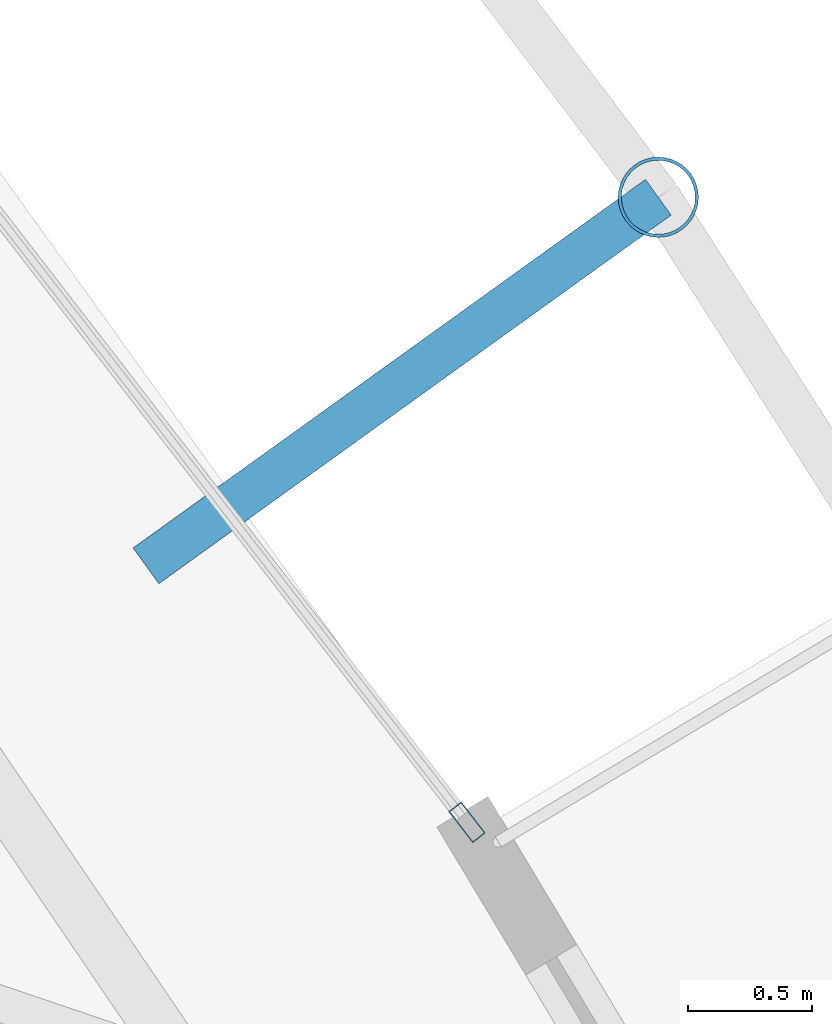
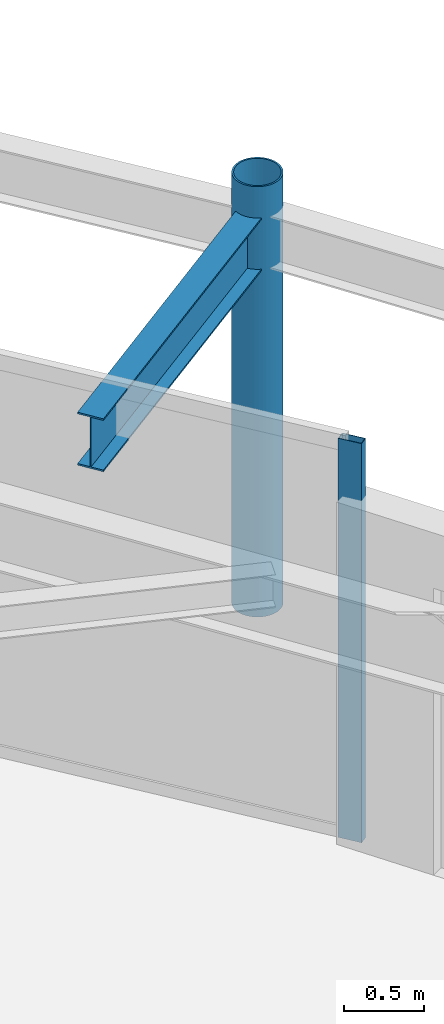
# One storey, part 19 of 28: 2 members, 1 beam, 1 element without a shape of its own.
"""IFC4 building model written with IfcOpenShell, lengths in metres."""

from ifc_helpers import new_model, si_unit, direction, frame, origin, origin_2d, place, context, subcontext, project, spatial, hollow_rectangle, hollow_circle, i_section, extrude, material, layer, layer_set, material_profile, profile_set, type_object, element, aggregate, save


model = new_model("IFC4")

# Units and contexts
model_context = context("Model", 3, precision=1e-05, world=origin(), true_north=direction((0.0, 1.0)))
body_context = subcontext(model_context, "Body", "Model", "MODEL_VIEW")
ifc_project = project(units=[si_unit("LENGTHUNIT", "METRE"), si_unit("AREAUNIT", "SQUARE_METRE"), si_unit("VOLUMEUNIT", "CUBIC_METRE"), si_unit("PLANEANGLEUNIT", "RADIAN"), si_unit("MASSUNIT", "GRAM", prefix="KILO")], contexts=[model_context])

# Site, building, storey
site_placement = place(None, origin())
site = spatial("IfcSite", under=ifc_project, at=site_placement, CompositionType="ELEMENT")
building_placement = place(site_placement, origin())
building = spatial("IfcBuilding", under=site, at=building_placement, Name="Orvanel Arch Residences", CompositionType="ELEMENT")
storey_placement = place(building_placement, frame((0.0, 0.0, 263.449951171875)))
storey = spatial("IfcBuildingStorey", under=building, at=storey_placement, Name="L75", CompositionType="ELEMENT", Elevation=263.449951171875)

# Curtain wall, member
ifc_material_1 = material(Name="Bronze-anodised aluminium AA6063-T6", Category="aluminium")
ifc_layer = layer(ifc_material_1, 0.175048828125)
ifc_layer_set = layer_set([ifc_layer], Name="Bronze-anodised aluminium AA6063-T6")
curtain_wall_type = type_object("IfcCurtainWallType", Name="CW4-HI-SYS", PredefinedType="NOTDEFINED", material=ifc_layer_set)
curtain_wall_placement = place(storey_placement, origin())
curtain_wall = element("IfcCurtainWall", 1, at=curtain_wall_placement, inside=storey, type_object=curtain_wall_type, Name="L75 CW4-HI-SYS Unitised Curtain Wall", PredefinedType="NOTDEFINED")
ifc_material_profile_1 = material_profile(ifc_material_1, hollow_rectangle(XDim=0.06494140625, YDim=0.159912109375, WallThickness=0.00390625, at=origin_2d()), Name="ALU160x65x4")
ifc_profile_set_1 = profile_set([ifc_material_profile_1], Name="Bronze-anodised aluminium AA6063-T6")
member_type_1 = type_object("IfcMemberType", Name="MUL-160x65", PredefinedType="MULLION", material=ifc_profile_set_1)
member_1_placement = place(storey_placement, frame((44.030029296875, 32.36279296875, 0.0), z_axis=(0.0, 0.0, 1.0), x_axis=(-0.791176992709, -0.611587251509, 0.0)))
member_1 = element("IfcMember", 2, at=member_1_placement, type_object=member_type_1, Name="CW-S4 mullion 1", PredefinedType="MULLION", context=body_context, shape_type="SweptSolid", body=[
    extrude(hollow_rectangle(XDim=0.06494140625, YDim=0.159912109375, WallThickness=0.00390625, at=origin_2d()), origin(), (0.0, 0.0, 1.0), 3.06005859375),
])
aggregate(curtain_wall, [member_1])

# Beam
ifc_material_2 = material(Name="Structural steel AS/NZS 3679.1 Grade 300 (300 MPa)", Category="steel")
ifc_material_profile_2 = material_profile(ifc_material_2, i_section(OverallWidth=0.177978515625, OverallDepth=0.406005859375, WebThickness=0.0078125, FlangeThickness=0.0126953125, at=origin_2d()), Name="410UB59.7")
ifc_profile_set_2 = profile_set([ifc_material_profile_2], Name="Structural steel AS/NZS 3679.1 Grade 300 (300 MPa)")
beam_type = type_object("IfcBeamType", Name="OB-410UB-EXT", PredefinedType="SPANDREL", material=ifc_profile_set_2)
beam_placement = place(storey_placement, frame((42.73291015625, 33.39892578125, 2.85693359375), z_axis=(0.811801205994, 0.583933902035, 0.0), x_axis=(-0.583933902035, 0.811801205994, 0.0)))
element("IfcBeam", 3, at=beam_placement, inside=storey, type_object=beam_type, Name="L75 Outer Frame Radial Tie Beam 11", PredefinedType="SPANDREL", context=body_context, shape_type="SweptSolid", body=[
    extrude(i_section(OverallWidth=0.177978515625, OverallDepth=0.406005859375, WebThickness=0.0078125, FlangeThickness=0.0126953125, at=origin_2d()), origin(), (0.0, 0.0, 1.0), 2.550048828125),
])

# Member
ifc_material_3 = material(Name="Structural steel AS/NZS 1163 C350L0 (Grade 350)", Category="steel")
ifc_material_profile_3 = material_profile(ifc_material_3, hollow_circle(Radius=0.162109375, WallThickness=0.0126953125, at=origin_2d()), Name="CHS324x12.7")
ifc_profile_set_3 = profile_set([ifc_material_profile_3], Name="Structural steel AS/NZS 1163 C350L0 (Grade 350)")
member_type_2 = type_object("IfcMemberType", Name="ST-324CHS-EXT", PredefinedType="STRUT", material=ifc_profile_set_3)
member_2_placement = place(storey_placement, frame((44.802978515625, 34.887939453125, 0.0), z_axis=(0.0, 0.0, 1.0), x_axis=(1.0, 0.0, 0.0)))
element("IfcMember", 4, at=member_2_placement, inside=storey, type_object=member_type_2, Name="L75 Outer Perimeter Frame Post 11", PredefinedType="STRUT", context=body_context, shape_type="SweptSolid", body=[
    extrude(hollow_circle(Radius=0.162109375, WallThickness=0.0126953125, at=origin_2d()), origin(), (0.0, 0.0, 1.0), 3.300048828125),
])

save(model, "model.ifc")
